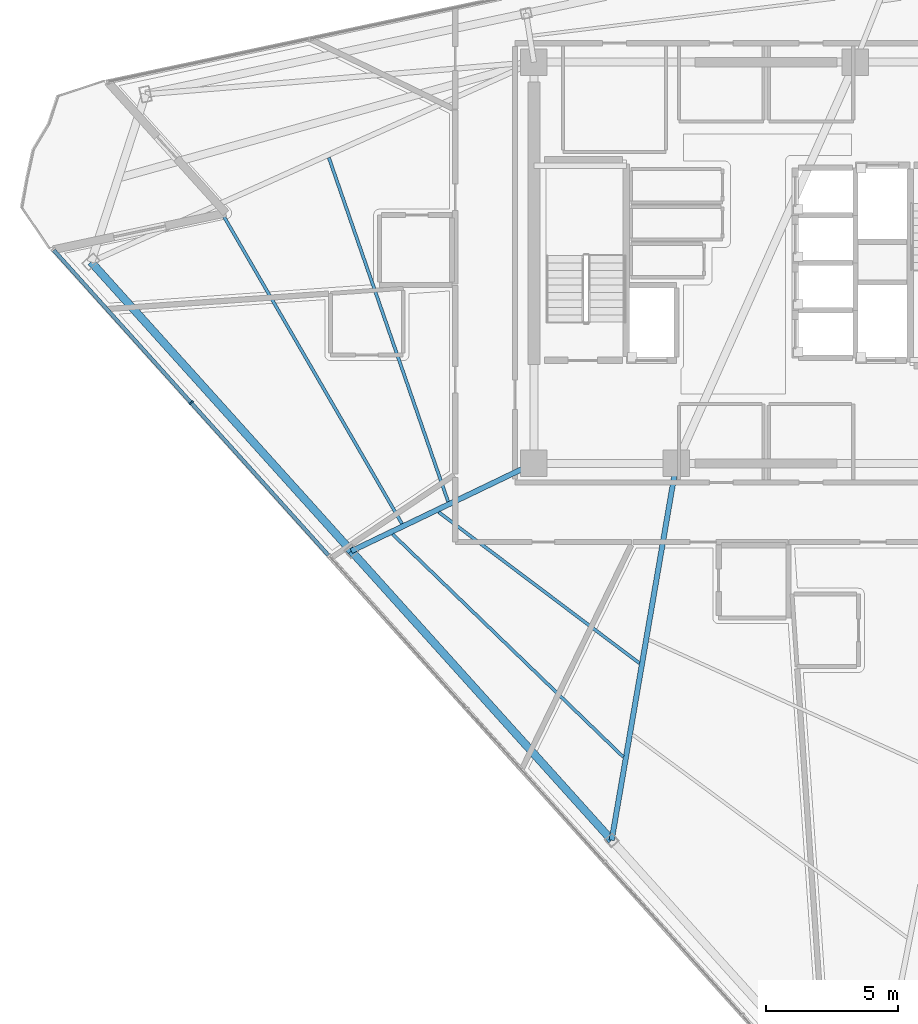
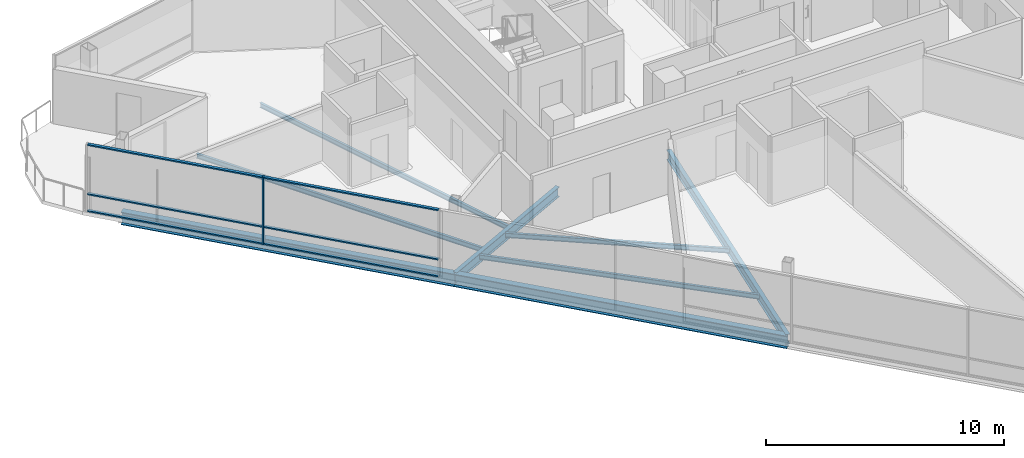
# One storey, part 3 of 18: 8 beams, 7 members, 1 element without a shape of its own.
"""IFC4 building model written with IfcOpenShell, lengths in metres."""

from ifc_helpers import new_model, si_unit, direction, frame, origin, origin_2d, place, context, subcontext, project, spatial, rectangle, i_section, extrude, material, layer, layer_set, material_profile, profile_set, type_object, element, aggregate, save


model = new_model("IFC4")

# Units and contexts
model_context = context("Model", 3, precision=1e-05, world=origin(), true_north=direction((0.0, 1.0)))
body_context = subcontext(model_context, "Body", "Model", "MODEL_VIEW")
ifc_project = project(units=[si_unit("LENGTHUNIT", "METRE"), si_unit("AREAUNIT", "SQUARE_METRE"), si_unit("VOLUMEUNIT", "CUBIC_METRE"), si_unit("PLANEANGLEUNIT", "RADIAN"), si_unit("MASSUNIT", "GRAM", prefix="KILO")], contexts=[model_context])

# Site, building, storey
site_placement = place(None, origin())
site = spatial("IfcSite", under=ifc_project, at=site_placement, CompositionType="ELEMENT")
building_placement = place(site_placement, origin())
building = spatial("IfcBuilding", under=site, at=building_placement, Name="Tharavind Bronze Gate", CompositionType="ELEMENT")
storey_placement = place(building_placement, frame((0.0, 0.0, 287.050048828125)))
storey = spatial("IfcBuildingStorey", under=building, at=storey_placement, Name="L74", CompositionType="ELEMENT", Elevation=287.050048828125)

# Curtain wall, members
ifc_material_1 = material(Name="Anodised Bronze Aluminium", Category="aluminium")
ifc_layer = layer(ifc_material_1, 0.219970703125)
ifc_layer_set = layer_set([ifc_layer], Name="Anodised Bronze Aluminium")
curtain_wall_type = type_object("IfcCurtainWallType", Name="UNITISED CURTAIN WALL CROWN", PredefinedType="USERDEFINED", material=ifc_layer_set)
curtain_wall_placement = place(storey_placement, origin())
curtain_wall = element("IfcCurtainWall", 1, at=curtain_wall_placement, inside=storey, type_object=curtain_wall_type, Name="L74 unitised curtain wall crown CW-L74-S1", ObjectType="UNITISED CURTAIN WALL", PredefinedType="USERDEFINED")
member_type_1 = type_object("IfcMemberType", Name="CURTAIN WALL BRONZE MULLION 65X180", PredefinedType="MULLION", material=ifc_material_1)
member_1_placement = place(storey_placement, frame((-21.88427734375, -5.30322265625, 0.0), z_axis=(0.0, 0.0, 1.0), x_axis=(0.669130606359, -0.743144825477, 0.0)))
member_1 = element("IfcMember", 2, at=member_1_placement, type_object=member_type_1, Name="CW-L74-S1 mullion 2", PredefinedType="MULLION", context=body_context, shape_type="SweptSolid", body=[
    extrude(rectangle(XDim=0.06494140625, YDim=0.179931640625, at=origin_2d()), origin(), (0.0, 0.0, 1.0), 3.465087890625),
])
member_type_2 = type_object("IfcMemberType", Name="CURTAIN WALL BRONZE TRANSOM 65X140", PredefinedType="USERDEFINED", material=ifc_material_1)
member_2_placement = place(storey_placement, frame((-24.494873046875, -2.404052734375, 0.0), z_axis=(0.0, 0.0, 1.0), x_axis=(0.669130606359, -0.743144825477, 0.0)))
member_2 = element("IfcMember", 3, at=member_2_placement, type_object=member_type_2, Name="CW-L74-S1 transom TB1", ObjectType="TRANSOM", PredefinedType="USERDEFINED", context=body_context, shape_type="SweptSolid", body=[
    extrude(rectangle(XDim=7.749755859375, YDim=0.139892578125, at=origin_2d()), origin(), (0.0, 0.0, 1.0), 0.06494140625),
])
member_3_placement = place(storey_placement, frame((-24.494873046875, -2.404052734375, 0.867431640625), z_axis=(0.0, 0.0, 1.0), x_axis=(0.669130606359, -0.743144825477, 0.0)))
member_3 = element("IfcMember", 4, at=member_3_placement, type_object=member_type_2, Name="CW-L74-S1 transom TS1", ObjectType="TRANSOM", PredefinedType="USERDEFINED", context=body_context, shape_type="SweptSolid", body=[
    extrude(rectangle(XDim=7.749755859375, YDim=0.139892578125, at=origin_2d()), origin(), (0.0, 0.0, 1.0), 0.06494140625),
])
member_4_placement = place(storey_placement, frame((-24.494873046875, -2.404052734375, 3.39990234375), z_axis=(0.0, 0.0, 1.0), x_axis=(0.669130606359, -0.743144825477, 0.0)))
member_4 = element("IfcMember", 5, at=member_4_placement, type_object=member_type_2, Name="CW-L74-S1 transom TT1", ObjectType="TRANSOM", PredefinedType="USERDEFINED", context=body_context, shape_type="SweptSolid", body=[
    extrude(rectangle(XDim=7.749755859375, YDim=0.139892578125, at=origin_2d()), origin(), (0.0, 0.0, 1.0), 0.06494140625),
])
member_5_placement = place(storey_placement, frame((-19.273681640625, -8.20263671875, 0.0), z_axis=(0.0, 0.0, 1.0), x_axis=(0.669130606359, -0.743144825477, 0.0)))
member_5 = element("IfcMember", 6, at=member_5_placement, type_object=member_type_2, Name="CW-L74-S1 transom TB2", ObjectType="TRANSOM", PredefinedType="USERDEFINED", context=body_context, shape_type="SweptSolid", body=[
    extrude(rectangle(XDim=7.749755859375, YDim=0.139892578125, at=origin_2d()), origin(), (0.0, 0.0, 1.0), 0.06494140625),
])
member_6_placement = place(storey_placement, frame((-19.273681640625, -8.20263671875, 0.867431640625), z_axis=(0.0, 0.0, 1.0), x_axis=(0.669130606359, -0.743144825477, 0.0)))
member_6 = element("IfcMember", 7, at=member_6_placement, type_object=member_type_2, Name="CW-L74-S1 transom TS2", ObjectType="TRANSOM", PredefinedType="USERDEFINED", context=body_context, shape_type="SweptSolid", body=[
    extrude(rectangle(XDim=7.749755859375, YDim=0.139892578125, at=origin_2d()), origin(), (0.0, 0.0, 1.0), 0.06494140625),
])
member_7_placement = place(storey_placement, frame((-19.273681640625, -8.20263671875, 3.39990234375), z_axis=(0.0, 0.0, 1.0), x_axis=(0.669130606359, -0.743144825477, 0.0)))
member_7 = element("IfcMember", 8, at=member_7_placement, type_object=member_type_2, Name="CW-L74-S1 transom TT2", ObjectType="TRANSOM", PredefinedType="USERDEFINED", context=body_context, shape_type="SweptSolid", body=[
    extrude(rectangle(XDim=7.749755859375, YDim=0.139892578125, at=origin_2d()), origin(), (0.0, 0.0, 1.0), 0.06494140625),
])
aggregate(curtain_wall, [member_1, member_2, member_3, member_4, member_5, member_6, member_7])

# Beams
ifc_material_2 = material(Name="Steel S355", Category="steel")
ifc_material_profile_1 = material_profile(ifc_material_2, i_section(OverallWidth=0.300048828125, OverallDepth=0.64990234375, WebThickness=0.01611328125, FlangeThickness=0.031005859375, at=origin_2d()), Name="HE650B")
ifc_profile_set_1 = profile_set([ifc_material_profile_1], Name="Steel S355")
beam_type_1 = type_object("IfcBeamType", Name="PRIMARY GIRDER HE650B", PredefinedType="USERDEFINED", material=ifc_profile_set_1)
beam_1_placement = place(storey_placement, frame((-25.6787109375, 0.03173828125, -0.510009765625), z_axis=(0.669125777788, -0.743149173113, 0.0), x_axis=(0.743149173113, 0.669125777788, 0.0)))
element("IfcBeam", 9, at=beam_1_placement, inside=storey, type_object=beam_type_1, Name="L74 primary girder he650b BM-L74-PRG01", ObjectType="GIRDER", PredefinedType="USERDEFINED", context=body_context, shape_type="SweptSolid", body=[
    extrude(i_section(OverallWidth=0.300048828125, OverallDepth=0.64990234375, WebThickness=0.01611328125, FlangeThickness=0.031005859375, at=origin_2d()), origin(), (0.0, 0.0, 1.0), 14.739501953125),
])
beam_2_placement = place(storey_placement, frame((-15.816162109375, -10.921875, -0.510009765625), z_axis=(0.669134014343, -0.7431417569, 0.0), x_axis=(0.7431417569, 0.669134014343, 0.0)))
element("IfcBeam", 10, at=beam_2_placement, inside=storey, type_object=beam_type_1, Name="L74 primary girder he650b BM-L74-PRG02", ObjectType="GIRDER", PredefinedType="USERDEFINED", context=body_context, shape_type="SweptSolid", body=[
    extrude(i_section(OverallWidth=0.300048828125, OverallDepth=0.64990234375, WebThickness=0.01611328125, FlangeThickness=0.031005859375, at=origin_2d()), origin(), (0.0, 0.0, 1.0), 14.7392578125),
])
ifc_material_profile_2 = material_profile(ifc_material_2, i_section(OverallWidth=0.199951171875, OverallDepth=0.5, WebThickness=0.01025390625, FlangeThickness=0.01611328125, at=origin_2d()), Name="IPE500")
ifc_profile_set_2 = profile_set([ifc_material_profile_2], Name="Steel S355")
beam_type_2 = type_object("IfcBeamType", Name="PRIMARY GIRDER IPE500", PredefinedType="USERDEFINED", material=ifc_profile_set_2)
beam_3_placement = place(storey_placement, frame((-15.816162109375, -10.921875, -0.43505859375), z_axis=(0.90142273265, 0.432940015547, 0.0), x_axis=(-0.432940015547, 0.90142273265, 0.0)))
element("IfcBeam", 11, at=beam_3_placement, inside=storey, type_object=beam_type_2, Name="L74 primary girder ipe500 BM-L74-RAD02", ObjectType="GIRDER", PredefinedType="USERDEFINED", context=body_context, shape_type="SweptSolid", body=[
    extrude(i_section(OverallWidth=0.199951171875, OverallDepth=0.5, WebThickness=0.01025390625, FlangeThickness=0.01611328125, at=origin_2d()), origin(), (0.0, 0.0, 1.0), 7.672607421875),
])
beam_4_placement = place(storey_placement, frame((-5.95361328125, -21.875244140625, -0.43505859375), z_axis=(0.169396075944, 0.985548055376, 0.0), x_axis=(-0.985548055376, 0.169396075944, 0.0)))
element("IfcBeam", 12, at=beam_4_placement, inside=storey, type_object=beam_type_2, Name="L74 primary girder ipe500 BM-L74-RAD03", ObjectType="GIRDER", PredefinedType="USERDEFINED", context=body_context, shape_type="SweptSolid", body=[
    extrude(i_section(OverallWidth=0.199951171875, OverallDepth=0.5, WebThickness=0.01025390625, FlangeThickness=0.01611328125, at=origin_2d()), origin(), (0.0, 0.0, 1.0), 14.484375),
])
ifc_material_profile_3 = material_profile(ifc_material_2, i_section(OverallWidth=0.1201171875, OverallDepth=0.239990234375, WebThickness=0.006103515625, FlangeThickness=0.009765625, at=origin_2d()), Name="IPE240")
ifc_profile_set_3 = profile_set([ifc_material_profile_3], Name="Steel S355")
beam_type_3 = type_object("IfcBeamType", Name="SECONDARY FLOOR JOIST IPE240", PredefinedType="JOIST", material=ifc_profile_set_3)
beam_5_placement = place(storey_placement, frame((-16.66796875, 3.982177734375, -0.304931640625), z_axis=(0.327619503862, -0.944809748409, 0.0), x_axis=(0.944809748409, 0.327619503862, 0.0)))
element("IfcBeam", 13, at=beam_5_placement, inside=storey, type_object=beam_type_3, Name="L74 secondary floor joist ipe240 BM-L74-JSTA01", PredefinedType="JOIST", context=body_context, shape_type="SweptSolid", body=[
    extrude(i_section(OverallWidth=0.1201171875, OverallDepth=0.239990234375, WebThickness=0.006103515625, FlangeThickness=0.009765625, at=origin_2d()), origin(), (0.0, 0.0, 1.0), 13.7890625),
])
beam_6_placement = place(storey_placement, frame((-20.84423828125, 2.09814453125, -0.304931640625), z_axis=(0.501531582807, -0.865139336435, 0.0), x_axis=(0.865139336435, 0.501531582807, 0.0)))
element("IfcBeam", 14, at=beam_6_placement, inside=storey, type_object=beam_type_3, Name="L74 secondary floor joist ipe240 BM-L74-JSTB01", PredefinedType="JOIST", context=body_context, shape_type="SweptSolid", body=[
    extrude(i_section(OverallWidth=0.1201171875, OverallDepth=0.239990234375, WebThickness=0.006103515625, FlangeThickness=0.009765625, at=origin_2d()), origin(), (0.0, 0.0, 1.0), 13.85107421875),
])
beam_7_placement = place(storey_placement, frame((-12.507080078125, -9.447265625, -0.304931640625), z_axis=(0.799041209175, -0.601276264325, 0.0), x_axis=(0.601276264325, 0.799041209175, 0.0)))
element("IfcBeam", 15, at=beam_7_placement, inside=storey, type_object=beam_type_3, Name="L74 secondary floor joist ipe240 BM-L74-JSTA02", PredefinedType="JOIST", context=body_context, shape_type="SweptSolid", body=[
    extrude(i_section(OverallWidth=0.1201171875, OverallDepth=0.239990234375, WebThickness=0.006103515625, FlangeThickness=0.009765625, at=origin_2d()), origin(), (0.0, 0.0, 1.0), 9.512939453125),
])
beam_8_placement = place(storey_placement, frame((-14.24951171875, -10.284423828125, -0.304931640625), z_axis=(0.719295778134, -0.694703953896, 0.0), x_axis=(0.694703953896, 0.719295778134, 0.0)))
element("IfcBeam", 16, at=beam_8_placement, inside=storey, type_object=beam_type_3, Name="L74 secondary floor joist ipe240 BM-L74-JSTB02", PredefinedType="JOIST", context=body_context, shape_type="SweptSolid", body=[
    extrude(i_section(OverallWidth=0.1201171875, OverallDepth=0.239990234375, WebThickness=0.006103515625, FlangeThickness=0.009765625, at=origin_2d()), origin(), (0.0, 0.0, 1.0), 12.1416015625),
])

save(model, "model.ifc")
